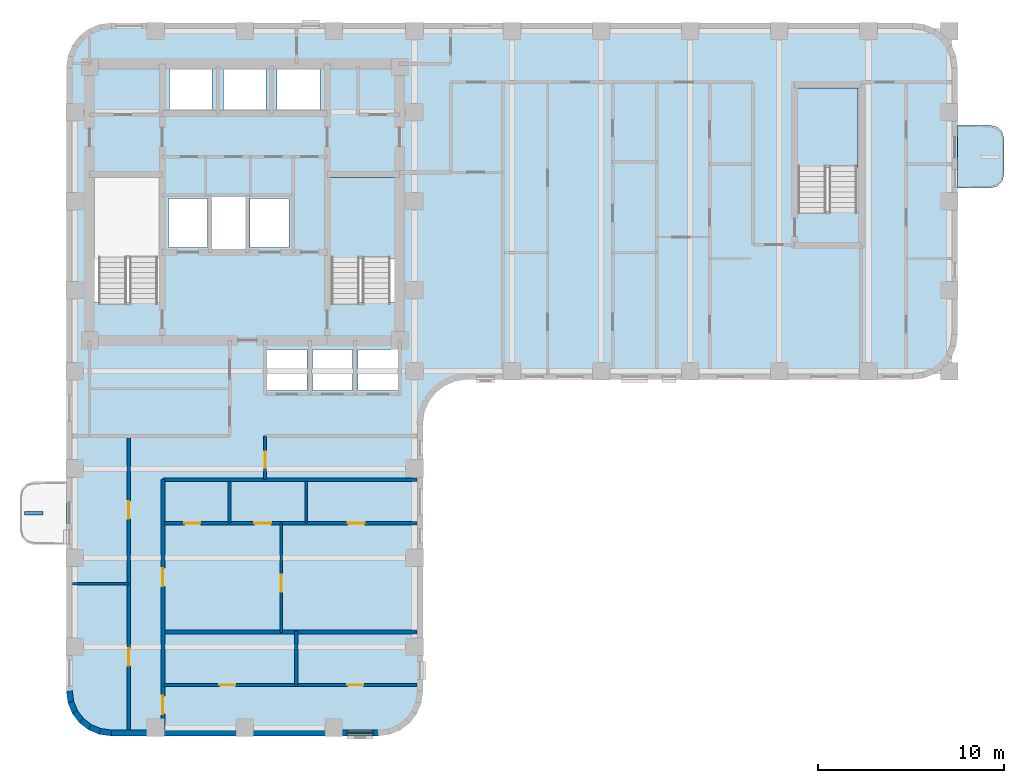
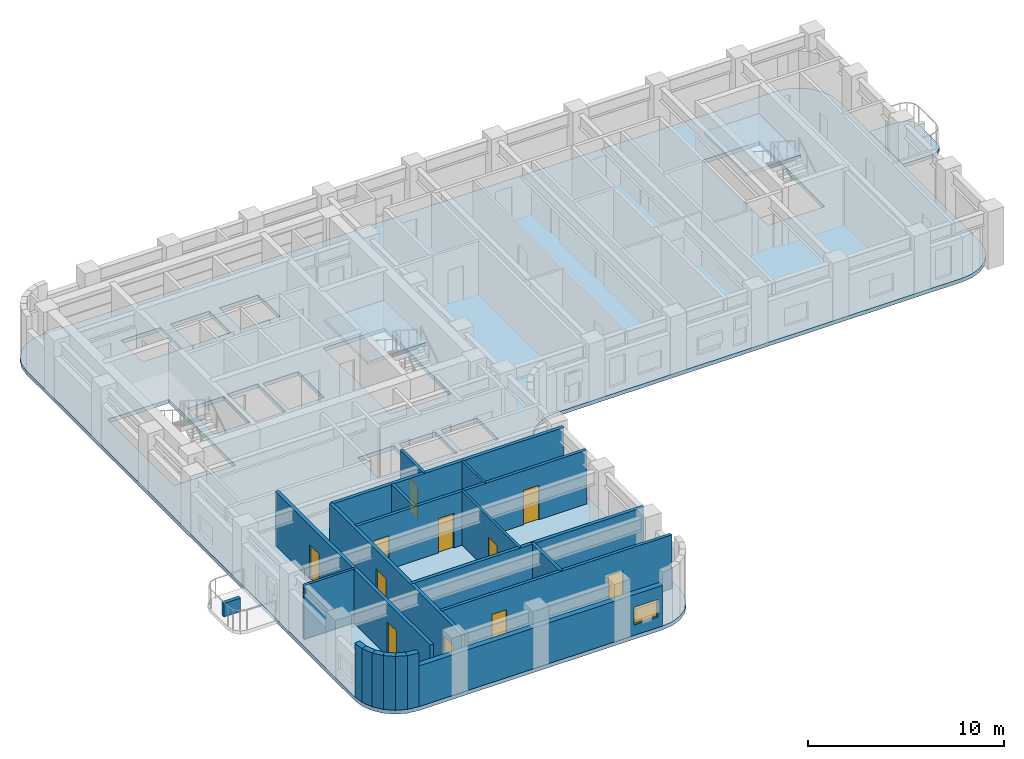
# One storey, part 2 of 10: 20 walls, 11 doors, 4 slabs, 1 window, 12 openings, 2 elements without a shape of their own.
"""IFC4 building model written with IfcOpenShell, lengths in metres."""

from ifc_helpers import new_model, si_unit, direction, frame, frame_2d, origin, place, context, subcontext, project, spatial, polyline, rectangle, outline, extrude, material, layer, layer_set, type_object, element, fill, aggregate, save


model = new_model("IFC4")

# Units and contexts
model_context = context("Model", 3, precision=1e-05, world=origin(), true_north=direction((0.0, 1.0)))
body_context = subcontext(model_context, "Body", "Model", "MODEL_VIEW")
ifc_project = project(units=[si_unit("LENGTHUNIT", "METRE"), si_unit("AREAUNIT", "SQUARE_METRE"), si_unit("VOLUMEUNIT", "CUBIC_METRE"), si_unit("PLANEANGLEUNIT", "RADIAN"), si_unit("MASSUNIT", "GRAM", prefix="KILO")], contexts=[model_context])

# Site, building, storey
site_placement = place(None, origin())
site = spatial("IfcSite", under=ifc_project, at=site_placement, CompositionType="ELEMENT")
building_placement = place(site_placement, origin())
building = spatial("IfcBuilding", under=site, at=building_placement, Name="Orvandelia Arch Residences", CompositionType="ELEMENT")
storey_placement = place(building_placement, frame((0.0, 0.0, 143.199951171875)))
storey = spatial("IfcBuildingStorey", under=building, at=storey_placement, Name="L37", CompositionType="ELEMENT", Elevation=143.199951171875)

# Slab
ifc_material_1 = material(Name="Precast concrete C40/50", Category="concrete")
ifc_layer_1 = layer(ifc_material_1, 0.219970703125, Name="Precast concrete C40/50", Category="concrete")
ifc_layer_set_1 = layer_set([ifc_layer_1], Name="Precast concrete C40/50")
slab_type_1 = type_object("IfcSlabType", Name="SLB-BAL-220", PredefinedType="USERDEFINED", material=ifc_layer_set_1)
slab_1_placement = place(storey_placement, frame((0.0, 0.0, -0.219970703125)))
element("IfcSlab", 1, at=slab_1_placement, inside=storey, type_object=slab_type_1, Name="Tree Balcony Cantilever Slab BAL-L37-E1", ObjectType="BALCONY", PredefinedType="USERDEFINED", context=body_context, shape_type="SweptSolid", body=[
    extrude(outline(polyline([(52.800048828125, 42.5), (52.800048828125, 39.10009765625), (54.550048828125, 39.10009765625), (54.925048828125, 39.200439453125), (55.199462890625, 39.47509765625), (55.300048828125, 39.85009765625), (55.300048828125, 41.75), (55.199462890625, 42.125), (54.925048828125, 42.3994140625), (54.550048828125, 42.5), (52.800048828125, 42.5)])), origin(), (0.0, 0.0, 1.0), 0.219970703125),
])

# Stair, slab
ifc_material_2 = material(Name="Concrete C40/50", Category="concrete")
stair_type = type_object("IfcStairType", Name="STAIR-RC-DOGLEG", PredefinedType="HALF_TURN_STAIR", material=ifc_material_2)
stair_1_placement = place(storey_placement, origin())
stair_1 = element("IfcStair", 2, at=stair_1_placement, inside=storey, type_object=stair_type, Name="L37 Protected Exit Stair ST-2", PredefinedType="HALF_TURN_STAIR")
ifc_layer_2 = layer(ifc_material_2, 0.219970703125, Name="Concrete C40/50", Category="concrete")
ifc_layer_set_2 = layer_set([ifc_layer_2], Name="Concrete C40/50")
slab_type_2 = type_object("IfcSlabType", Name="SLB-LANDING-220", PredefinedType="LANDING", material=ifc_layer_set_2)
slab_2_placement = place(storey_placement, frame((0.0, 0.0, 1.60009765625)))
slab_2 = element("IfcSlab", 3, at=slab_2_placement, type_object=slab_type_2, Name="ST-2 landing 1", PredefinedType="LANDING", context=body_context, shape_type="SweptSolid", body=[
    extrude(outline(polyline([(22.5400390625, 35.31005859375), (22.5400390625, 39.68994140625), (19.0, 39.68994140625), (19.0, 35.31005859375), (22.5400390625, 35.31005859375)])), origin(), (0.0, 0.0, 1.0), 0.199951171875),
])
aggregate(stair_1, [slab_2])

stair_2_placement = place(storey_placement, origin())
stair_2 = element("IfcStair", 4, at=stair_2_placement, inside=storey, type_object=stair_type, Name="L37 East Wing Exit Stair ST-3", PredefinedType="HALF_TURN_STAIR")
slab_3_placement = place(storey_placement, frame((0.0, 0.0, 1.60009765625)))
slab_3 = element("IfcSlab", 5, at=slab_3_placement, type_object=slab_type_2, Name="ST-3 landing 1", PredefinedType="LANDING", context=body_context, shape_type="SweptSolid", body=[
    extrude(outline(polyline([(47.43994140625, 40.2099609375), (47.43994140625, 44.5), (44.179931640625, 44.5), (44.179931640625, 40.2099609375), (47.43994140625, 40.2099609375)])), origin(), (0.0, 0.0, 1.0), 0.199951171875),
])
aggregate(stair_2, [slab_3])

# Slab
ifc_layer_3 = layer(ifc_material_2, 0.239990234375, Name="Concrete C40/50", Category="concrete")
ifc_layer_set_3 = layer_set([ifc_layer_3], Name="Concrete C40/50")
slab_type_3 = type_object("IfcSlabType", Name="SLB-TWR-240", PredefinedType="FLOOR", material=ifc_layer_set_3)
slab_4_placement = place(storey_placement, frame((0.0, 0.0, -0.239990234375)))
element("IfcSlab", 6, at=slab_4_placement, inside=storey, type_object=slab_type_3, Name="Structural Floor Slab L37-1", PredefinedType="FLOOR", context=body_context, shape_type="SweptSolid", body=[
    extrude(outline(polyline([(4.800048828125, 12.0), (4.8818359375, 11.37890625), (5.12158203125, 10.800048828125), (5.5029296875, 10.302978515625), (6.0, 9.92138671875), (6.578857421875, 9.681884765625), (7.199951171875, 9.60009765625), (21.60009765625, 9.60009765625), (22.22119140625, 9.681884765625), (22.800048828125, 9.92138671875), (23.297119140625, 10.302978515625), (23.678466796875, 10.800048828125), (23.918212890625, 11.37890625), (24.0, 12.0), (24.0, 26.39990234375), (24.081787109375, 27.021240234375), (24.321533203125, 27.60009765625), (24.702880859375, 28.09716796875), (25.199951171875, 28.478515625), (25.77880859375, 28.71826171875), (26.39990234375, 28.800048828125), (50.39990234375, 28.800048828125), (51.021240234375, 28.8818359375), (51.60009765625, 29.12158203125), (52.09716796875, 29.5029296875), (52.478515625, 30.0), (52.71826171875, 30.578857421875), (52.800048828125, 31.199951171875), (52.800048828125, 45.60009765625), (52.71826171875, 46.22119140625), (52.478515625, 46.800048828125), (52.09716796875, 47.297119140625), (51.60009765625, 47.678466796875), (51.021240234375, 47.918212890625), (50.39990234375, 48.0), (7.199951171875, 48.0), (6.578857421875, 47.918212890625), (6.0, 47.678466796875), (5.5029296875, 47.297119140625), (5.12158203125, 46.800048828125), (4.8818359375, 46.22119140625), (4.800048828125, 45.60009765625), (4.800048828125, 12.0)]), holes=[polyline([(6.219970703125, 32.949951171875), (9.840087890625, 32.949951171875), (9.840087890625, 39.72998046875), (6.219970703125, 39.72998046875), (6.219970703125, 32.949951171875)]), polyline([(18.9599609375, 32.949951171875), (22.580078125, 32.949951171875), (22.580078125, 39.72998046875), (18.9599609375, 39.72998046875), (18.9599609375, 32.949951171875)]), polyline([(44.139892578125, 37.85009765625), (47.47998046875, 37.85009765625), (47.47998046875, 44.5400390625), (44.139892578125, 44.5400390625), (44.139892578125, 37.85009765625)]), polyline([(12.639892578125, 35.81005859375), (14.4599609375, 35.81005859375), (14.4599609375, 38.639892578125), (12.639892578125, 38.639892578125), (12.639892578125, 35.81005859375)]), polyline([(10.300048828125, 35.89990234375), (12.39990234375, 35.89990234375), (12.39990234375, 38.550048828125), (10.300048828125, 38.550048828125), (10.300048828125, 35.89990234375)]), polyline([(14.699951171875, 35.89990234375), (16.800048828125, 35.89990234375), (16.800048828125, 38.550048828125), (14.699951171875, 38.550048828125), (14.699951171875, 35.89990234375)]), polyline([(10.35009765625, 43.300048828125), (12.64990234375, 43.300048828125), (12.64990234375, 45.5), (10.35009765625, 45.5), (10.35009765625, 43.300048828125)]), polyline([(13.25, 43.300048828125), (15.550048828125, 43.300048828125), (15.550048828125, 45.5), (13.25, 45.5), (13.25, 43.300048828125)]), polyline([(16.14990234375, 43.300048828125), (18.449951171875, 43.300048828125), (18.449951171875, 45.5), (16.14990234375, 45.5), (16.14990234375, 43.300048828125)]), polyline([(15.60009765625, 28.199951171875), (17.75, 28.199951171875), (17.75, 30.39990234375), (15.60009765625, 30.39990234375), (15.60009765625, 28.199951171875)]), polyline([(18.050048828125, 28.199951171875), (20.199951171875, 28.199951171875), (20.199951171875, 30.39990234375), (18.050048828125, 30.39990234375), (18.050048828125, 28.199951171875)]), polyline([(20.5, 28.199951171875), (22.64990234375, 28.199951171875), (22.64990234375, 30.39990234375), (20.5, 30.39990234375), (20.5, 28.199951171875)])]), origin(), (0.0, 0.0, 1.0), 0.239990234375),
])

# Wall, openings, doors
ifc_material_3 = material(Name="Fire-Rated Corridor Partition")
ifc_layer_4 = layer(ifc_material_3, 0.199951171875, Name="Fire-Rated Corridor Partition")
ifc_layer_set_4 = layer_set([ifc_layer_4], Name="Fire-Rated Corridor Partition")
wall_type_1 = type_object("IfcWallType", Name="WL-CORR-200", PredefinedType="PARTITIONING", material=ifc_layer_set_4)
wall_1_placement = place(storey_placement, frame((8.14990234375, 9.919921875, 0.0), z_axis=(0.0, 0.0, 1.0), x_axis=(0.0, 1.0, 0.0)))
wall_1 = element("IfcWall", 7, at=wall_1_placement, inside=storey, type_object=wall_type_1, Name="Interior Partition Wall WL-L37-WC-W", PredefinedType="PARTITIONING", context=body_context, shape_type="SweptSolid", body=[
    extrude(rectangle(XDim=15.830078125, YDim=0.199951171875, at=frame_2d((7.9150390625, 0.0))), origin(), (0.0, 0.0, 1.0), 3.360107421875),
])
opening_1_placement = place(wall_1_placement, frame((3.449951171875, 0.0, 0.0)))
opening_1 = element("IfcOpeningElement", 8, at=opening_1_placement, cuts=wall_1, Name="Opening D2", PredefinedType="OPENING", context=body_context, shape_type="SweptSolid", body=[
    extrude(rectangle(XDim=0.949951171875, YDim=2.14990234375, at=frame_2d((0.47509765625, 1.074951171875))), frame((0.0, 0.10986328125, 0.0), z_axis=(0.0, -1.0, 0.0), x_axis=(1.0, 0.0, 0.0)), (0.0, 0.0, 1.0), 0.219970703125),
])
opening_2_placement = place(wall_1_placement, frame((11.3701171875, 0.0, 0.0)))
opening_2 = element("IfcOpeningElement", 9, at=opening_2_placement, cuts=wall_1, Name="Opening D2", PredefinedType="OPENING", context=body_context, shape_type="SweptSolid", body=[
    extrude(rectangle(XDim=0.949951171875, YDim=2.14990234375, at=frame_2d((0.47509765625, 1.074951171875))), frame((0.0, 0.10986328125, 0.0), z_axis=(0.0, -1.0, 0.0), x_axis=(1.0, 0.0, 0.0)), (0.0, 0.0, 1.0), 0.219970703125),
])
ifc_material_4 = material(Name="Solid-Core Timber Interior Fire Door", Category="wood")
door_type_1 = type_object("IfcDoorType", Name="DR-APT-950", OperationType="NOTDEFINED", PredefinedType="DOOR", material=ifc_material_4)
door_1_placement = place(opening_1_placement, origin())
door_1 = element("IfcDoor", 10, at=door_1_placement, inside=storey, type_object=door_type_1, Name="DR-L37-WGRM-1", OperationType="SINGLE_SWING_LEFT", OverallHeight=2.14990234375, OverallWidth=0.949951171875, PredefinedType="DOOR", context=body_context, shape_type="SweptSolid", body=[
    extrude(rectangle(XDim=0.949951171875, YDim=2.14990234375, at=frame_2d((0.47509765625, 1.074951171875))), frame((0.0, 0.02490234375, 0.0), z_axis=(0.0, -1.0, 0.0), x_axis=(1.0, 0.0, 0.0)), (0.0, 0.0, 1.0), 0.050048828125),
])
fill(opening_1, door_1)
door_2_placement = place(opening_2_placement, origin())
door_2 = element("IfcDoor", 11, at=door_2_placement, inside=storey, type_object=door_type_1, Name="DR-L37-WGRM-2", OperationType="SINGLE_SWING_RIGHT", OverallHeight=2.14990234375, OverallWidth=0.949951171875, PredefinedType="DOOR", context=body_context, shape_type="SweptSolid", body=[
    extrude(rectangle(XDim=0.949951171875, YDim=2.14990234375, at=frame_2d((0.47509765625, 1.074951171875))), frame((0.0, 0.02490234375, 0.0), z_axis=(0.0, -1.0, 0.0), x_axis=(1.0, 0.0, 0.0)), (0.0, 0.0, 1.0), 0.050048828125),
])
fill(opening_2, door_2)

wall_2_placement = place(storey_placement, frame((10.0, 9.919921875, 0.0), z_axis=(0.0, 0.0, 1.0), x_axis=(0.0, 1.0, 0.0)))
wall_2 = element("IfcWall", 12, at=wall_2_placement, inside=storey, type_object=wall_type_1, Name="Interior Partition Wall WL-L37-WC-E", PredefinedType="PARTITIONING", context=body_context, shape_type="SweptSolid", body=[
    extrude(rectangle(XDim=13.47998046875, YDim=0.199951171875, at=frame_2d((6.739990234375, 0.0))), origin(), (0.0, 0.0, 1.0), 3.360107421875),
])
opening_3_placement = place(wall_2_placement, frame((0.85107421875, 0.0, 0.0)))
opening_3 = element("IfcOpeningElement", 13, at=opening_3_placement, cuts=wall_2, Name="Opening D1", PredefinedType="OPENING", context=body_context, shape_type="SweptSolid", body=[
    extrude(rectangle(XDim=0.97998046875, YDim=2.179931640625, at=frame_2d((0.489990234375, 1.08984375))), frame((0.0, 0.10986328125, 0.0), z_axis=(0.0, -1.0, 0.0), x_axis=(1.0, 0.0, 0.0)), (0.0, 0.0, 1.0), 0.219970703125),
])
opening_4_placement = place(wall_2_placement, frame((7.739990234375, 0.0, 0.0)))
opening_4 = element("IfcOpeningElement", 14, at=opening_4_placement, cuts=wall_2, Name="Opening D1", PredefinedType="OPENING", context=body_context, shape_type="SweptSolid", body=[
    extrude(rectangle(XDim=0.97998046875, YDim=2.179931640625, at=frame_2d((0.489990234375, 1.08984375))), frame((0.0, 0.10986328125, 0.0), z_axis=(0.0, -1.0, 0.0), x_axis=(1.0, 0.0, 0.0)), (0.0, 0.0, 1.0), 0.219970703125),
])
ifc_material_5 = material(Name="Solid-Core Timber Acoustic Fire Door", Category="wood")
door_type_2 = type_object("IfcDoorType", Name="DR-ENT-980", OperationType="NOTDEFINED", PredefinedType="DOOR", material=ifc_material_5)
door_3_placement = place(opening_3_placement, origin())
door_3 = element("IfcDoor", 15, at=door_3_placement, inside=storey, type_object=door_type_2, Name="Unit L37-01 Entrance Door", OperationType="SINGLE_SWING_LEFT", OverallHeight=2.179931640625, OverallWidth=0.97998046875, PredefinedType="DOOR", context=body_context, shape_type="SweptSolid", body=[
    extrude(rectangle(XDim=0.97998046875, YDim=2.179931640625, at=frame_2d((0.489990234375, 1.08984375))), frame((0.0, 0.02490234375, 0.0), z_axis=(0.0, -1.0, 0.0), x_axis=(1.0, 0.0, 0.0)), (0.0, 0.0, 1.0), 0.050048828125),
])
fill(opening_3, door_3)
door_4_placement = place(opening_4_placement, origin())
door_4 = element("IfcDoor", 16, at=door_4_placement, inside=storey, type_object=door_type_2, Name="Unit L37-02 Entrance Door", OperationType="SINGLE_SWING_RIGHT", OverallHeight=2.179931640625, OverallWidth=0.97998046875, PredefinedType="DOOR", context=body_context, shape_type="SweptSolid", body=[
    extrude(rectangle(XDim=0.97998046875, YDim=2.179931640625, at=frame_2d((0.489990234375, 1.08984375))), frame((0.0, 0.02490234375, 0.0), z_axis=(0.0, -1.0, 0.0), x_axis=(1.0, 0.0, 0.0)), (0.0, 0.0, 1.0), 0.050048828125),
])
fill(opening_4, door_4)

# Walls
wall_3_placement = place(storey_placement, frame((10.0, 23.39990234375, 0.0), z_axis=(0.0, 0.0, 1.0), x_axis=(1.0, 0.0, 0.0)))
element("IfcWall", 17, at=wall_3_placement, inside=storey, type_object=wall_type_1, Name="Interior Partition Wall WL-L37-WLNK-S", PredefinedType="PARTITIONING", context=body_context, shape_type="SweptSolid", body=[
    extrude(rectangle(XDim=13.679931640625, YDim=0.199951171875, at=frame_2d((6.83984375, 0.0))), origin(), (0.0, 0.0, 1.0), 3.360107421875),
])
ifc_layer_5 = layer(ifc_material_2, 0.199951171875, Name="Concrete C40/50", Category="concrete")
ifc_layer_set_5 = layer_set([ifc_layer_5], Name="Concrete C40/50")
wall_type_2 = type_object("IfcWallType", Name="WL-DEM-200", PredefinedType="SOLIDWALL", material=ifc_layer_set_5)
wall_4_placement = place(storey_placement, frame((10.0, 15.199951171875, 0.0), z_axis=(0.0, 0.0, 1.0), x_axis=(1.0, 0.0, 0.0)))
element("IfcWall", 18, at=wall_4_placement, inside=storey, type_object=wall_type_2, Name="Interior Partition Wall WL-L37-DEM-WR-152", PredefinedType="SOLIDWALL", context=body_context, shape_type="SweptSolid", body=[
    extrude(rectangle(XDim=13.679931640625, YDim=0.199951171875, at=frame_2d((6.83984375, 0.0))), origin(), (0.0, 0.0, 1.0), 3.360107421875),
])

# Wall, opening, window
ifc_layer_6 = layer(ifc_material_1, 0.320068359375, Name="Precast concrete C40/50", Category="concrete")
ifc_layer_set_6 = layer_set([ifc_layer_6], Name="Precast concrete C40/50")
wall_type_3 = type_object("IfcWallType", Name="WL-EXT-STONE-320", PredefinedType="STANDARD", material=ifc_layer_set_6)
wall_5_placement = place(storey_placement, frame((21.60009765625, 9.760009765625, 0.0), z_axis=(0.0, 0.0, 1.0), x_axis=(-1.0, 0.0, 0.0)))
wall_5 = element("IfcWall", 19, at=wall_5_placement, inside=storey, type_object=wall_type_3, Name="Coral-Limestone Precast Facade Wall L37-035", PredefinedType="STANDARD", context=body_context, shape_type="SweptSolid", body=[
    extrude(rectangle(XDim=14.400146484375, YDim=0.320068359375, at=frame_2d((7.2001953125, 0.0))), origin(), (0.0, 0.0, 1.0), 2.5400390625),
])
opening_5_placement = place(wall_5_placement, frame((0.282470703125, 0.0, 0.64990234375)))
opening_5 = element("IfcOpeningElement", 20, at=opening_5_placement, cuts=wall_5, Name="Opening W10", PredefinedType="OPENING", context=body_context, shape_type="SweptSolid", body=[
    extrude(rectangle(XDim=1.39990234375, YDim=1.10009765625, at=frame_2d((0.699951171875, 0.550048828125))), frame((0.0, 0.169921875, 0.0), z_axis=(0.0, -1.0, 0.0), x_axis=(1.0, 0.0, 0.0)), (0.0, 0.0, 1.0), 0.340087890625),
])
ifc_material_6 = material(Name="Tempered Low-E Insulated Glazing", Category="glass")
window_type = type_object("IfcWindowType", Name="WIN-CLR-1400x1100", PartitioningType="SINGLE_PANEL", PredefinedType="WINDOW", material=ifc_material_6)
window_placement = place(opening_5_placement, origin())
window = element("IfcWindow", 21, at=window_placement, inside=storey, type_object=window_type, Name="Recessed Punched Window L37-018", OverallHeight=1.10009765625, OverallWidth=1.39990234375, PartitioningType="SINGLE_PANEL", PredefinedType="WINDOW", context=body_context, shape_type="SweptSolid", body=[
    extrude(rectangle(XDim=1.39990234375, YDim=1.10009765625, at=frame_2d((0.699951171875, 0.550048828125))), frame((0.0, 0.030029296875, 0.0), z_axis=(0.0, -1.0, 0.0), x_axis=(1.0, 0.0, 0.0)), (0.0, 0.0, 1.0), 0.06005859375),
])
fill(opening_5, window)

# Walls
wall_6_placement = place(storey_placement, frame((7.220947265625, 9.758544921875, 0.0), z_axis=(0.0, 0.0, 1.0), x_axis=(-0.991447664465, 0.130504898859, 0.0)))
element("IfcWall", 22, at=wall_6_placement, inside=storey, type_object=wall_type_3, Name="Coral-Limestone Precast Facade Wall L37-036", PredefinedType="STANDARD", context=body_context, shape_type="SweptSolid", body=[
    extrude(rectangle(XDim=0.626708984375, YDim=0.320068359375, at=frame_2d((0.3134765625, 0.0))), origin(), (0.0, 0.0, 1.0), 3.360107421875),
])
wall_7_placement = place(storey_placement, frame((6.639892578125, 9.82958984375, 0.0), z_axis=(0.0, 0.0, 1.0), x_axis=(-0.923836271867, 0.382787856107, 0.0)))
element("IfcWall", 23, at=wall_7_placement, inside=storey, type_object=wall_type_3, Name="Coral-Limestone Precast Facade Wall L37-037", PredefinedType="STANDARD", context=body_context, shape_type="SweptSolid", body=[
    extrude(rectangle(XDim=0.626220703125, YDim=0.320068359375, at=frame_2d((0.31298828125, 0.0))), origin(), (0.0, 0.0, 1.0), 3.360107421875),
])
wall_8_placement = place(storey_placement, frame((6.097412109375, 10.04833984375, 0.0), z_axis=(0.0, 0.0, 1.0), x_axis=(-0.793405610854, 0.608693302629, 0.0)))
element("IfcWall", 24, at=wall_8_placement, inside=storey, type_object=wall_type_3, Name="Coral-Limestone Precast Facade Wall L37-038", PredefinedType="STANDARD", context=body_context, shape_type="SweptSolid", body=[
    extrude(rectangle(XDim=0.62646484375, YDim=0.320068359375, at=frame_2d((0.313232421875, 0.0))), origin(), (0.0, 0.0, 1.0), 3.360107421875),
])
wall_9_placement = place(storey_placement, frame((5.6298828125, 10.400390625, 0.0), z_axis=(0.0, 0.0, 1.0), x_axis=(-0.608938521285, 0.7932174212, 0.0)))
element("IfcWall", 25, at=wall_9_placement, inside=storey, type_object=wall_type_3, Name="Coral-Limestone Precast Facade Wall L37-039", PredefinedType="STANDARD", context=body_context, shape_type="SweptSolid", body=[
    extrude(rectangle(XDim=0.626708984375, YDim=0.320068359375, at=frame_2d((0.3134765625, 0.0))), origin(), (0.0, 0.0, 1.0), 3.360107421875),
])
wall_10_placement = place(storey_placement, frame((5.269287109375, 10.861083984375, 0.0), z_axis=(0.0, 0.0, 1.0), x_axis=(-0.382650053678, 0.92389335771, 0.0)))
element("IfcWall", 26, at=wall_10_placement, inside=storey, type_object=wall_type_3, Name="Coral-Limestone Precast Facade Wall L37-040", PredefinedType="STANDARD", context=body_context, shape_type="SweptSolid", body=[
    extrude(rectangle(XDim=0.62646484375, YDim=0.320068359375, at=frame_2d((0.313232421875, 0.0))), origin(), (0.0, 0.0, 1.0), 3.360107421875),
])
wall_11_placement = place(storey_placement, frame((5.040283203125, 11.399658203125, 0.0), z_axis=(0.0, 0.0, 1.0), x_axis=(-0.130504898859, 0.991447664465, 0.0)))
element("IfcWall", 27, at=wall_11_placement, inside=storey, type_object=wall_type_3, Name="Coral-Limestone Precast Facade Wall L37-041", PredefinedType="STANDARD", context=body_context, shape_type="SweptSolid", body=[
    extrude(rectangle(XDim=0.626708984375, YDim=0.320068359375, at=frame_2d((0.3134765625, 0.0))), origin(), (0.0, 0.0, 1.0), 3.360107421875),
])
ifc_material_7 = material(Name="Lightweight Gypsum Stud Partition")
ifc_layer_7 = layer(ifc_material_7, 0.1201171875, Name="Lightweight Gypsum Stud Partition")
ifc_layer_set_7 = layer_set([ifc_layer_7], Name="Lightweight Gypsum Stud Partition")
wall_type_4 = type_object("IfcWallType", Name="WL-PART-120", PredefinedType="PARTITIONING", material=ifc_layer_set_7)
wall_12_placement = place(storey_placement, frame((17.720947265625, 21.06005859375, 0.0), z_axis=(0.0, 0.0, 1.0), x_axis=(0.0, 1.0, 0.0)))
element("IfcWall", 28, at=wall_12_placement, inside=storey, type_object=wall_type_4, Name="Interior Partition Wall WL-L37-U02-V2", PredefinedType="PARTITIONING", context=body_context, shape_type="SweptSolid", body=[
    extrude(rectangle(XDim=2.280029296875, YDim=0.1201171875, at=frame_2d((1.14013671875, 0.0))), origin(), (0.0, 0.0, 1.0), 3.360107421875),
])

# Wall, opening, door
ifc_material_8 = material(Name="Double-Layer Acoustic Gypsum Partition")
ifc_layer_8 = layer(ifc_material_8, 0.135009765625, Name="Double-Layer Acoustic Gypsum Partition")
ifc_layer_set_8 = layer_set([ifc_layer_8], Name="Double-Layer Acoustic Gypsum Partition")
wall_type_5 = type_object("IfcWallType", Name="WL-PART-135", PredefinedType="PARTITIONING", material=ifc_layer_set_8)
wall_13_placement = place(storey_placement, frame((16.37890625, 15.159912109375, 0.0), z_axis=(0.0, 0.0, 1.0), x_axis=(0.0, 1.0, 0.0)))
wall_13 = element("IfcWall", 29, at=wall_13_placement, inside=storey, type_object=wall_type_5, Name="Interior Partition Wall WL-L37-U02-DIN", PredefinedType="PARTITIONING", context=body_context, shape_type="SweptSolid", body=[
    extrude(rectangle(XDim=5.900146484375, YDim=0.135009765625, at=frame_2d((2.9501953125, 0.0))), origin(), (0.0, 0.0, 1.0), 3.360107421875),
])
opening_6_placement = place(wall_13_placement, frame((2.214111328125, 0.0, 0.0)))
opening_6 = element("IfcOpeningElement", 30, at=opening_6_placement, cuts=wall_13, Name="Opening D3", PredefinedType="OPENING", context=body_context, shape_type="SweptSolid", body=[
    extrude(rectangle(XDim=0.89990234375, YDim=2.14990234375, at=frame_2d((0.449951171875, 1.074951171875))), frame((0.0, 0.07763671875, 0.0), z_axis=(0.0, -1.0, 0.0), x_axis=(1.0, 0.0, 0.0)), (0.0, 0.0, 1.0), 0.155029296875),
])
ifc_material_9 = material(Name="Engineered Timber Flush Door", Category="wood")
door_type_3 = type_object("IfcDoorType", Name="DR-INT-900", OperationType="NOTDEFINED", PredefinedType="DOOR", material=ifc_material_9)
door_5_placement = place(opening_6_placement, origin())
door_5 = element("IfcDoor", 31, at=door_5_placement, inside=storey, type_object=door_type_3, Name="DR-L37-U02-DIN", OperationType="SINGLE_SWING_LEFT", OverallHeight=2.14990234375, OverallWidth=0.89990234375, PredefinedType="DOOR", context=body_context, shape_type="SweptSolid", body=[
    extrude(rectangle(XDim=0.89990234375, YDim=2.14990234375, at=frame_2d((0.449951171875, 1.074951171875))), frame((0.0, 0.02490234375, 0.0), z_axis=(0.0, -1.0, 0.0), x_axis=(1.0, 0.0, 0.0)), (0.0, 0.0, 1.0), 0.050048828125),
])
fill(opening_6, door_5)

ifc_material_10 = material(Name="Acoustic Gypsum Stud Partition")
ifc_layer_9 = layer(ifc_material_10, 0.14990234375, Name="Acoustic Gypsum Stud Partition")
ifc_layer_set_9 = layer_set([ifc_layer_9], Name="Acoustic Gypsum Stud Partition")
wall_type_6 = type_object("IfcWallType", Name="WL-PART-150", PredefinedType="PARTITIONING", material=ifc_layer_set_9)
wall_14_placement = place(storey_placement, frame((15.5, 23.39990234375, 0.0), z_axis=(0.0, 0.0, 1.0), x_axis=(0.0, 1.0, 0.0)))
wall_14 = element("IfcWall", 32, at=wall_14_placement, inside=storey, type_object=wall_type_6, Name="Interior Partition Wall WL-L37-WLNK-E", PredefinedType="PARTITIONING", context=body_context, shape_type="SweptSolid", body=[
    extrude(rectangle(XDim=2.35009765625, YDim=0.14990234375, at=frame_2d((1.175048828125, 0.0))), origin(), (0.0, 0.0, 1.0), 3.360107421875),
])
opening_7_placement = place(wall_14_placement, frame((0.64990234375, 0.0, 0.0)))
opening_7 = element("IfcOpeningElement", 33, at=opening_7_placement, cuts=wall_14, Name="Opening D4", PredefinedType="OPENING", context=body_context, shape_type="SweptSolid", body=[
    extrude(rectangle(XDim=0.860107421875, YDim=2.10009765625, at=frame_2d((0.43017578125, 1.050048828125))), frame((0.0, 0.0849609375, 0.0), z_axis=(0.0, -1.0, 0.0), x_axis=(1.0, 0.0, 0.0)), (0.0, 0.0, 1.0), 0.169921875),
])
ifc_material_11 = material(Name="Moisture-Sealed Timber Bathroom Door", Category="wood")
door_type_4 = type_object("IfcDoorType", Name="DR-WET-900", OperationType="NOTDEFINED", PredefinedType="DOOR", material=ifc_material_11)
door_6_placement = place(opening_7_placement, origin())
door_6 = element("IfcDoor", 34, at=door_6_placement, inside=storey, type_object=door_type_4, Name="DR-L37-WLNKST", OperationType="SINGLE_SWING_RIGHT", OverallHeight=2.10009765625, OverallWidth=0.860107421875, PredefinedType="DOOR", context=body_context, shape_type="SweptSolid", body=[
    extrude(rectangle(XDim=0.860107421875, YDim=2.10009765625, at=frame_2d((0.43017578125, 1.050048828125))), frame((0.0, 0.02490234375, 0.0), z_axis=(0.0, -1.0, 0.0), x_axis=(1.0, 0.0, 0.0)), (0.0, 0.0, 1.0), 0.050048828125),
])
fill(opening_7, door_6)

# Walls
wall_15_placement = place(storey_placement, frame((5.1201171875, 17.800048828125, 0.0), z_axis=(0.0, 0.0, 1.0), x_axis=(1.0, 0.0, 0.0)))
element("IfcWall", 35, at=wall_15_placement, inside=storey, type_object=wall_type_6, Name="Interior Partition Wall WL-L37-WGDIV-1", PredefinedType="PARTITIONING", context=body_context, shape_type="SweptSolid", body=[
    extrude(rectangle(XDim=3.02978515625, YDim=0.14990234375, at=frame_2d((1.514892578125, 0.0))), origin(), (0.0, 0.0, 1.0), 3.360107421875),
])
ifc_layer_10 = layer(ifc_material_1, 0.199951171875, Name="Precast concrete C40/50", Category="concrete")
ifc_layer_set_10 = layer_set([ifc_layer_10], Name="Precast concrete C40/50")
wall_type_7 = type_object("IfcWallType", Name="WL-PLANTER-200", PredefinedType="MOVABLE", material=ifc_layer_set_10)
wall_16_placement = place(storey_placement, frame((2.550048828125, 21.60009765625, 0.0), z_axis=(0.0, 0.0, 1.0), x_axis=(1.0, 0.0, 0.0)))
element("IfcWall", 36, at=wall_16_placement, inside=storey, type_object=wall_type_7, Name="Balcony Precast Tree Planter BAL-L37-W1", PredefinedType="MOVABLE", context=body_context, shape_type="SweptSolid", body=[
    extrude(rectangle(XDim=1.0, YDim=0.199951171875, at=frame_2d((0.5, 0.0))), origin(), (0.0, 0.0, 1.0), 0.85009765625),
])

# Wall, openings, doors
ifc_material_12 = material(Name="Moisture-Resistant Plumbing Wall")
ifc_layer_11 = layer(ifc_material_12, 0.179931640625, Name="Moisture-Resistant Plumbing Wall")
ifc_layer_set_11 = layer_set([ifc_layer_11], Name="Moisture-Resistant Plumbing Wall")
wall_type_8 = type_object("IfcWallType", Name="WL-WET-180", PredefinedType="PLUMBINGWALL", material=ifc_layer_set_11)
wall_17_placement = place(storey_placement, frame((10.06005859375, 12.342041015625, 0.0), z_axis=(0.0, 0.0, 1.0), x_axis=(1.0, 0.0, 0.0)))
wall_17 = element("IfcWall", 37, at=wall_17_placement, inside=storey, type_object=wall_type_8, Name="Interior Partition Wall WL-L37-U01-HZ", PredefinedType="PLUMBINGWALL", context=body_context, shape_type="SweptSolid", body=[
    extrude(rectangle(XDim=13.619873046875, YDim=0.179931640625, at=frame_2d((6.81005859375, 0.0))), origin(), (0.0, 0.0, 1.0), 3.360107421875),
])
opening_8_placement = place(wall_17_placement, frame((2.98193359375, 0.0, 0.0)))
opening_8 = element("IfcOpeningElement", 38, at=opening_8_placement, cuts=wall_17, Name="Opening D4", PredefinedType="OPENING", context=body_context, shape_type="SweptSolid", body=[
    extrude(rectangle(XDim=0.860107421875, YDim=2.10009765625, at=frame_2d((0.43017578125, 1.050048828125))), frame((0.0, 0.10009765625, 0.0), z_axis=(0.0, -1.0, 0.0), x_axis=(1.0, 0.0, 0.0)), (0.0, 0.0, 1.0), 0.199951171875),
])
opening_9_placement = place(wall_17_placement, frame((9.8720703125, 0.0, 0.0)))
opening_9 = element("IfcOpeningElement", 39, at=opening_9_placement, cuts=wall_17, Name="Opening D4", PredefinedType="OPENING", context=body_context, shape_type="SweptSolid", body=[
    extrude(rectangle(XDim=0.860107421875, YDim=2.10009765625, at=frame_2d((0.43017578125, 1.050048828125))), frame((0.0, 0.10009765625, 0.0), z_axis=(0.0, -1.0, 0.0), x_axis=(1.0, 0.0, 0.0)), (0.0, 0.0, 1.0), 0.199951171875),
])
door_7_placement = place(opening_8_placement, origin())
door_7 = element("IfcDoor", 40, at=door_7_placement, inside=storey, type_object=door_type_4, Name="DR-L37-U01-KIT", OperationType="SINGLE_SWING_LEFT", OverallHeight=2.10009765625, OverallWidth=0.860107421875, PredefinedType="DOOR", context=body_context, shape_type="SweptSolid", body=[
    extrude(rectangle(XDim=0.860107421875, YDim=2.10009765625, at=frame_2d((0.43017578125, 1.050048828125))), frame((0.0, 0.02490234375, 0.0), z_axis=(0.0, -1.0, 0.0), x_axis=(1.0, 0.0, 0.0)), (0.0, 0.0, 1.0), 0.050048828125),
])
fill(opening_8, door_7)
door_8_placement = place(opening_9_placement, origin())
door_8 = element("IfcDoor", 41, at=door_8_placement, inside=storey, type_object=door_type_4, Name="DR-L37-U01-BTH", OperationType="SINGLE_SWING_RIGHT", OverallHeight=2.10009765625, OverallWidth=0.860107421875, PredefinedType="DOOR", context=body_context, shape_type="SweptSolid", body=[
    extrude(rectangle(XDim=0.860107421875, YDim=2.10009765625, at=frame_2d((0.43017578125, 1.050048828125))), frame((0.0, 0.02490234375, 0.0), z_axis=(0.0, -1.0, 0.0), x_axis=(1.0, 0.0, 0.0)), (0.0, 0.0, 1.0), 0.050048828125),
])
fill(opening_9, door_8)

# Wall
wall_18_placement = place(storey_placement, frame((17.174072265625, 12.342041015625, 0.0), z_axis=(0.0, 0.0, 1.0), x_axis=(0.0, 1.0, 0.0)))
element("IfcWall", 42, at=wall_18_placement, inside=storey, type_object=wall_type_8, Name="Interior Partition Wall WL-L37-U01-V1", PredefinedType="PLUMBINGWALL", context=body_context, shape_type="SweptSolid", body=[
    extrude(rectangle(XDim=2.89794921875, YDim=0.179931640625, at=frame_2d((1.448974609375, 0.0))), origin(), (0.0, 0.0, 1.0), 3.360107421875),
])

# Wall, openings, doors
wall_19_placement = place(storey_placement, frame((10.06005859375, 21.06005859375, 0.0), z_axis=(0.0, 0.0, 1.0), x_axis=(1.0, 0.0, 0.0)))
wall_19 = element("IfcWall", 43, at=wall_19_placement, inside=storey, type_object=wall_type_8, Name="Interior Partition Wall WL-L37-U02-HZ", PredefinedType="PLUMBINGWALL", context=body_context, shape_type="SweptSolid", body=[
    extrude(rectangle(XDim=13.619873046875, YDim=0.179931640625, at=frame_2d((6.81005859375, 0.0))), origin(), (0.0, 0.0, 1.0), 3.360107421875),
])
opening_10_placement = place(wall_19_placement, frame((1.0908203125, 0.0, 0.0)))
opening_10 = element("IfcOpeningElement", 44, at=opening_10_placement, cuts=wall_19, Name="Opening D4", PredefinedType="OPENING", context=body_context, shape_type="SweptSolid", body=[
    extrude(rectangle(XDim=0.860107421875, YDim=2.10009765625, at=frame_2d((0.43017578125, 1.050048828125))), frame((0.0, 0.10009765625, 0.0), z_axis=(0.0, -1.0, 0.0), x_axis=(1.0, 0.0, 0.0)), (0.0, 0.0, 1.0), 0.199951171875),
])
opening_11_placement = place(wall_19_placement, frame((4.8681640625, 0.0, 0.0)))
opening_11 = element("IfcOpeningElement", 45, at=opening_11_placement, cuts=wall_19, Name="Opening D3", PredefinedType="OPENING", context=body_context, shape_type="SweptSolid", body=[
    extrude(rectangle(XDim=0.89990234375, YDim=2.14990234375, at=frame_2d((0.449951171875, 1.074951171875))), frame((0.0, 0.10009765625, 0.0), z_axis=(0.0, -1.0, 0.0), x_axis=(1.0, 0.0, 0.0)), (0.0, 0.0, 1.0), 0.199951171875),
])
opening_12_placement = place(wall_19_placement, frame((9.897216796875, 0.0, 0.0)))
opening_12 = element("IfcOpeningElement", 46, at=opening_12_placement, cuts=wall_19, Name="Opening D3", PredefinedType="OPENING", context=body_context, shape_type="SweptSolid", body=[
    extrude(rectangle(XDim=0.89990234375, YDim=2.14990234375, at=frame_2d((0.449951171875, 1.074951171875))), frame((0.0, 0.10009765625, 0.0), z_axis=(0.0, -1.0, 0.0), x_axis=(1.0, 0.0, 0.0)), (0.0, 0.0, 1.0), 0.199951171875),
])
door_9_placement = place(opening_11_placement, origin())
door_9 = element("IfcDoor", 47, at=door_9_placement, inside=storey, type_object=door_type_3, Name="DR-L37-U02-KIT", OperationType="SINGLE_SWING_RIGHT", OverallHeight=2.14990234375, OverallWidth=0.89990234375, PredefinedType="DOOR", context=body_context, shape_type="SweptSolid", body=[
    extrude(rectangle(XDim=0.89990234375, YDim=2.14990234375, at=frame_2d((0.449951171875, 1.074951171875))), frame((0.0, 0.02490234375, 0.0), z_axis=(0.0, -1.0, 0.0), x_axis=(1.0, 0.0, 0.0)), (0.0, 0.0, 1.0), 0.050048828125),
])
fill(opening_11, door_9)
door_10_placement = place(opening_12_placement, origin())
door_10 = element("IfcDoor", 48, at=door_10_placement, inside=storey, type_object=door_type_3, Name="DR-L37-U02-BD1", OperationType="SINGLE_SWING_LEFT", OverallHeight=2.14990234375, OverallWidth=0.89990234375, PredefinedType="DOOR", context=body_context, shape_type="SweptSolid", body=[
    extrude(rectangle(XDim=0.89990234375, YDim=2.14990234375, at=frame_2d((0.449951171875, 1.074951171875))), frame((0.0, 0.02490234375, 0.0), z_axis=(0.0, -1.0, 0.0), x_axis=(1.0, 0.0, 0.0)), (0.0, 0.0, 1.0), 0.050048828125),
])
fill(opening_12, door_10)
door_11_placement = place(opening_10_placement, origin())
door_11 = element("IfcDoor", 49, at=door_11_placement, inside=storey, type_object=door_type_4, Name="DR-L37-U02-BTH", OperationType="SINGLE_SWING_LEFT", OverallHeight=2.10009765625, OverallWidth=0.860107421875, PredefinedType="DOOR", context=body_context, shape_type="SweptSolid", body=[
    extrude(rectangle(XDim=0.860107421875, YDim=2.10009765625, at=frame_2d((0.43017578125, 1.050048828125))), frame((0.0, 0.02490234375, 0.0), z_axis=(0.0, -1.0, 0.0), x_axis=(1.0, 0.0, 0.0)), (0.0, 0.0, 1.0), 0.050048828125),
])
fill(opening_10, door_11)

# Wall
wall_20_placement = place(storey_placement, frame((13.583984375, 21.06005859375, 0.0), z_axis=(0.0, 0.0, 1.0), x_axis=(0.0, 1.0, 0.0)))
element("IfcWall", 50, at=wall_20_placement, inside=storey, type_object=wall_type_8, Name="Interior Partition Wall WL-L37-U02-V1", PredefinedType="PLUMBINGWALL", context=body_context, shape_type="SweptSolid", body=[
    extrude(rectangle(XDim=2.280029296875, YDim=0.179931640625, at=frame_2d((1.14013671875, 0.0))), origin(), (0.0, 0.0, 1.0), 3.360107421875),
])

save(model, "model.ifc")
